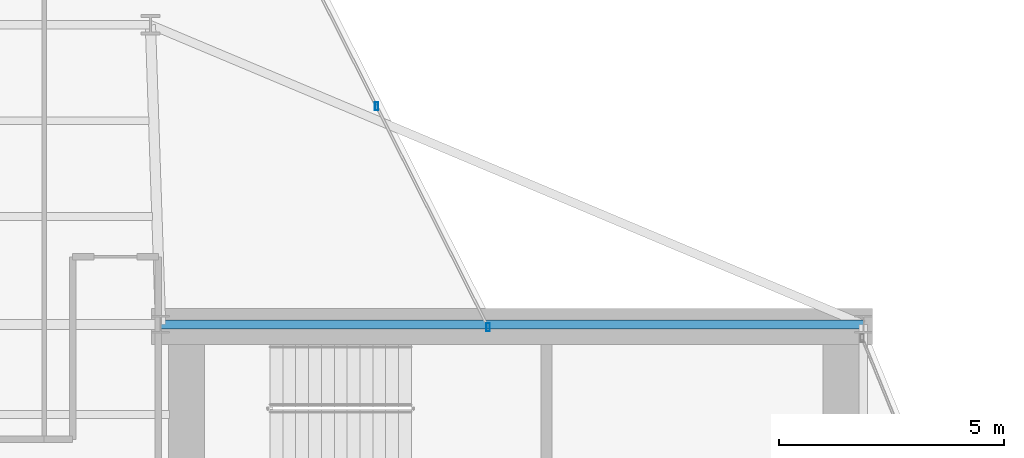
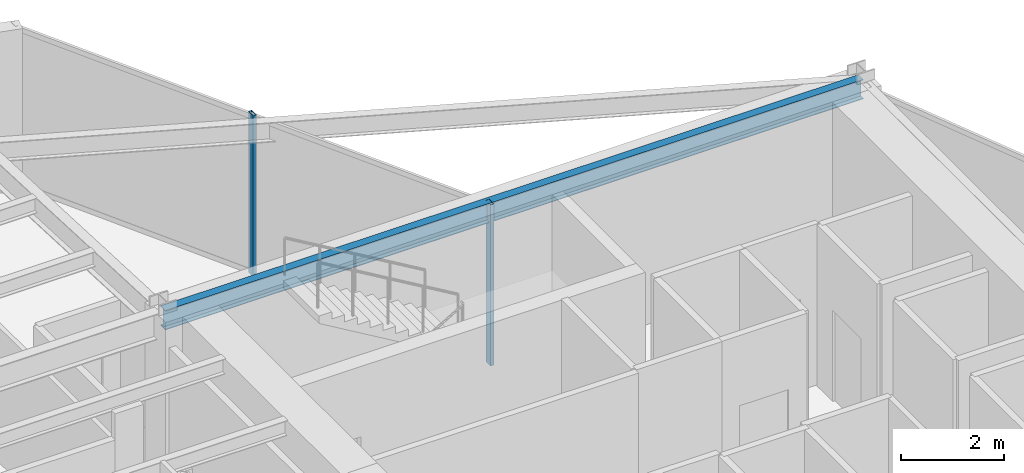
# One storey, part 16 of 25: 2 members, 1 beam, 1 element without a shape of its own.
"""IFC4 building model written with IfcOpenShell, lengths in metres."""

from ifc_helpers import new_model, si_unit, direction, frame, origin, origin_2d, place, context, subcontext, project, spatial, hollow_rectangle, i_section, extrude, material, layer, layer_set, material_profile, profile_set, type_object, element, aggregate, save


model = new_model("IFC4")

# Units and contexts
model_context = context("Model", 3, precision=1e-05, world=origin(), true_north=direction((0.0, 1.0)))
body_context = subcontext(model_context, "Body", "Model", "MODEL_VIEW")
ifc_project = project(units=[si_unit("LENGTHUNIT", "METRE"), si_unit("AREAUNIT", "SQUARE_METRE"), si_unit("VOLUMEUNIT", "CUBIC_METRE"), si_unit("PLANEANGLEUNIT", "RADIAN"), si_unit("MASSUNIT", "GRAM", prefix="KILO")], contexts=[model_context])

# Site, building, storey
site_placement = place(None, origin())
site = spatial("IfcSite", under=ifc_project, at=site_placement, CompositionType="ELEMENT")
building_placement = place(site_placement, origin())
building = spatial("IfcBuilding", under=site, at=building_placement, Name="Veymaron Broadcast Tower", CompositionType="ELEMENT")
storey_placement = place(building_placement, frame((0.0, 0.0, 129.0)))
storey = spatial("IfcBuildingStorey", under=building, at=storey_placement, Name="L29", CompositionType="ELEMENT", Elevation=129.0)

# Beam
ifc_material_1 = material(Name="Structural steel ASTM A992 Gr 50", Category="steel")
ifc_material_profile_1 = material_profile(ifc_material_1, i_section(OverallWidth=0.19091796875, OverallDepth=0.4599609375, WebThickness=0.010009765625, FlangeThickness=0.01611328125, at=origin_2d()), Name="W460X82")
ifc_profile_set_1 = profile_set([ifc_material_profile_1], Name="Structural steel ASTM A992 Gr 50")
beam_type = type_object("IfcBeamType", Name="BM-SP1", PredefinedType="SPANDREL", material=ifc_profile_set_1)
beam_placement = place(storey_placement, frame((39.0, 32.0, 3.580078125), z_axis=(1.0, 0.0, 0.0), x_axis=(0.0, 1.0, 0.0)))
element("IfcBeam", 1, at=beam_placement, inside=storey, type_object=beam_type, Name="L29 primary structural floor girder", PredefinedType="SPANDREL", context=body_context, shape_type="SweptSolid", body=[
    extrude(i_section(OverallWidth=0.19091796875, OverallDepth=0.4599609375, WebThickness=0.010009765625, FlangeThickness=0.01611328125, at=origin_2d()), origin(), (0.0, 0.0, 1.0), 15.60009765625),
])

# Curtain wall, members
ifc_material_2 = material(Name="Anodised aluminium AA 6063-T6 and laminated low-E dark glass", Category="aluminium")
ifc_layer = layer(ifc_material_2, 0.179931640625)
ifc_layer_set = layer_set([ifc_layer], Name="Anodised aluminium AA 6063-T6 and laminated low-E dark glass")
curtain_wall_type = type_object("IfcCurtainWallType", Name="CW-SYS-03", PredefinedType="NOTDEFINED", material=ifc_layer_set)
curtain_wall_placement = place(storey_placement, origin())
curtain_wall = element("IfcCurtainWall", 2, at=curtain_wall_placement, inside=storey, type_object=curtain_wall_type, Name="L29 dark-glass curtain wall CW-L29-E5-1", PredefinedType="NOTDEFINED")
ifc_material_3 = material(Name="Anodised aluminium AA 6063-T6", Category="aluminium")
ifc_material_profile_2 = material_profile(ifc_material_3, hollow_rectangle(XDim=0.074951171875, YDim=0.179931640625, WallThickness=0.0048828125, at=origin_2d()), Name="AL180X75X5")
ifc_profile_set_2 = profile_set([ifc_material_profile_2], Name="Anodised aluminium AA 6063-T6")
member_type = type_object("IfcMemberType", Name="CW-MUL-02", PredefinedType="MULLION", material=ifc_profile_set_2)
member_1_placement = place(storey_placement, frame((46.27099609375, 31.93701171875, 0.0), z_axis=(0.0, 0.0, 1.0), x_axis=(1.0, 0.0, 0.0)))
member_1 = element("IfcMember", 3, at=member_1_placement, type_object=member_type, Name="CW-L29-E5-1 mullion 0", PredefinedType="MULLION", context=body_context, shape_type="SweptSolid", body=[
    extrude(hollow_rectangle(XDim=0.074951171875, YDim=0.179931640625, WallThickness=0.0048828125, at=origin_2d()), origin(), (0.0, 0.0, 1.0), 3.81005859375),
])
member_2_placement = place(storey_placement, frame((43.79296875, 36.841796875, 0.0), z_axis=(0.0, 0.0, 1.0), x_axis=(1.0, 0.0, 0.0)))
member_2 = element("IfcMember", 4, at=member_2_placement, type_object=member_type, Name="CW-L29-E5-1 mullion 1", PredefinedType="MULLION", context=body_context, shape_type="SweptSolid", body=[
    extrude(hollow_rectangle(XDim=0.074951171875, YDim=0.179931640625, WallThickness=0.0048828125, at=origin_2d()), origin(), (0.0, 0.0, 1.0), 3.81005859375),
])
aggregate(curtain_wall, [member_1, member_2])

save(model, "model.ifc")
